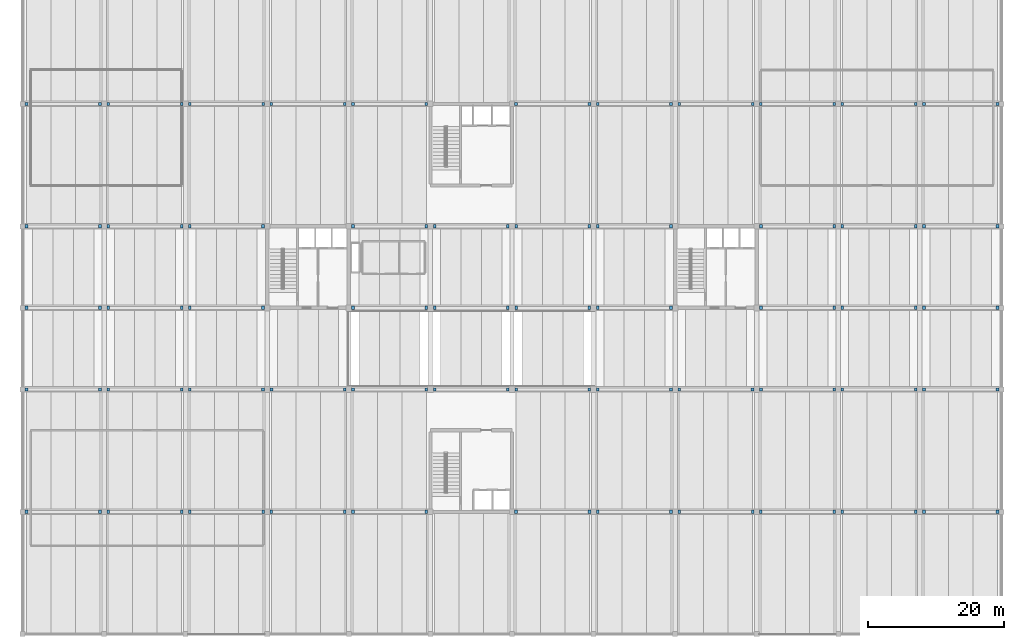
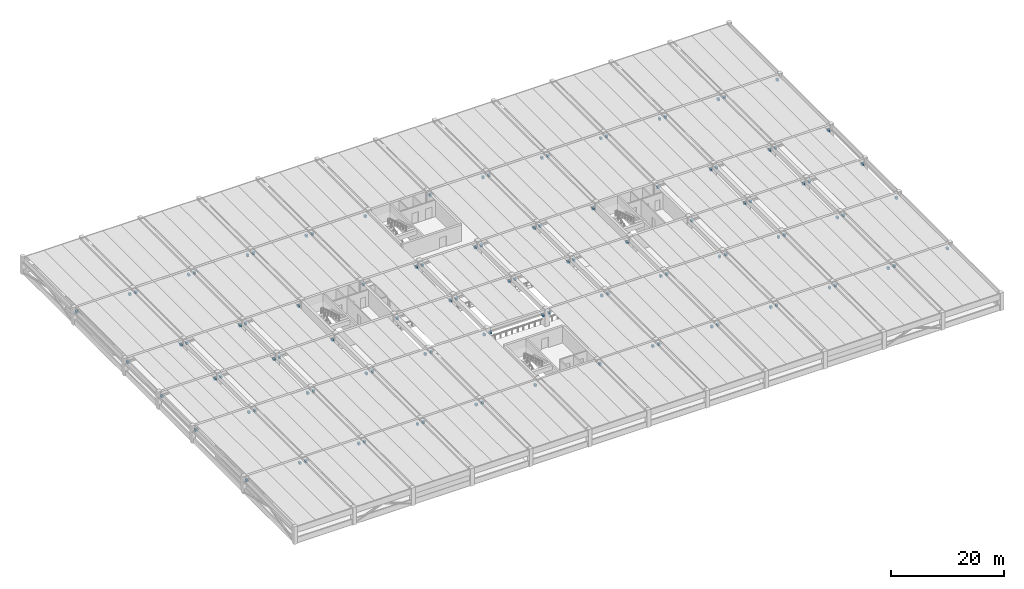
# One storey, part 13 of 16: 108 discrete accessories.
"""IFC4 building model written with IfcOpenShell, lengths in metres."""

from ifc_helpers import new_model, si_unit, direction, frame, origin, origin_2d, place, context, subcontext, project, spatial, rectangle, extrude, material, type_object, element, save


model = new_model("IFC4")

# Units and contexts
model_context = context("Model", 3, precision=1e-05, world=origin(), true_north=direction((0.0, 1.0)))
body_context = subcontext(model_context, "Body", "Model", "MODEL_VIEW")
ifc_project = project(units=[si_unit("LENGTHUNIT", "METRE"), si_unit("AREAUNIT", "SQUARE_METRE"), si_unit("VOLUMEUNIT", "CUBIC_METRE"), si_unit("PLANEANGLEUNIT", "RADIAN"), si_unit("MASSUNIT", "GRAM", prefix="KILO")], contexts=[model_context])

# Site, building, storey
site_placement = place(None, origin())
site = spatial("IfcSite", under=ifc_project, at=site_placement, CompositionType="ELEMENT")
building_placement = place(site_placement, origin())
building = spatial("IfcBuilding", under=site, at=building_placement, Name="Girod Span Mobility Hub", CompositionType="ELEMENT")
storey_placement = place(building_placement, frame((0.0, 0.0, 28.60009765625)))
storey = spatial("IfcBuildingStorey", under=building, at=storey_placement, Name="L07", CompositionType="ELEMENT", Elevation=28.60009765625)

# Discrete accessories
ifc_material = material(Name="Concrete C40/50", Category="concrete")
discrete_accessory_type = type_object("IfcDiscreteAccessoryType", Name="ACC-CORBEL-480", PredefinedType="BRACKET", material=ifc_material)
for number, where, z_axis, x_axis, name in (
    (1, (12.572998046875, 27.0, 2.201904296875), (0.0, 0.0, 1.0), (1.0, 0.0, 0.0), "Precast Corbel 2/C-L L07"),
    (2, (23.402099609375, 27.0, 2.201904296875), (0.0, 0.0, 1.0), (1.0, 0.0, 0.0), "Precast Corbel 2/C-R L07"),
    (3, (24.597900390625, 27.0, 2.171875), (0.0, 0.0, 1.0), (1.0, 0.0, 0.0), "Precast Corbel 3/C-L L07"),
    (4, (35.402099609375, 27.0, 2.171875), (0.0, 0.0, 1.0), (1.0, 0.0, 0.0), "Precast Corbel 3/C-R L07"),
    (5, (36.597900390625, 27.0, 2.171875), (0.0, 0.0, 1.0), (1.0, 0.0, 0.0), "Precast Corbel 4/C-L L07"),
    (6, (47.402099609375, 27.0, 2.171875), (0.0, 0.0, 1.0), (1.0, 0.0, 0.0), "Precast Corbel 4/C-R L07"),
    (7, (48.597900390625, 27.0, 2.171875), (0.0, 0.0, 1.0), (1.0, 0.0, 0.0), "Precast Corbel 5/C-L L07"),
    (8, (59.402099609375, 27.0, 2.171875), (0.0, 0.0, 1.0), (1.0, 0.0, 0.0), "Precast Corbel 5/C-R L07"),
    (9, (60.597900390625, 27.0, 2.171875), (0.0, 0.0, 1.0), (1.0, 0.0, 0.0), "Precast Corbel 6/C-L L07"),
    (10, (71.402099609375, 27.0, 2.171875), (0.0, 0.0, 1.0), (1.0, 0.0, 0.0), "Precast Corbel 6/C-R L07"),
    (11, (84.597900390625, 27.0, 2.171875), (0.0, 0.0, 1.0), (1.0, 0.0, 0.0), "Precast Corbel 8/C-L L07"),
    (12, (95.402099609375, 27.0, 2.171875), (0.0, 0.0, 1.0), (1.0, 0.0, 0.0), "Precast Corbel 8/C-R L07"),
    (13, (96.597900390625, 27.0, 2.171875), (0.0, 0.0, 1.0), (1.0, 0.0, 0.0), "Precast Corbel 9/C-L L07"),
    (14, (107.402099609375, 27.0, 2.171875), (0.0, 0.0, 1.0), (1.0, 0.0, 0.0), "Precast Corbel 9/C-R L07"),
    (15, (108.597900390625, 27.0, 2.171875), (0.0, 0.0, 1.0), (1.0, 0.0, 0.0), "Precast Corbel 10/C-L L07"),
    (16, (119.402099609375, 27.0, 2.171875), (0.0, 0.0, 1.0), (1.0, 0.0, 0.0), "Precast Corbel 10/C-R L07"),
    (17, (120.597900390625, 27.0, 2.171875), (0.0, 0.0, 1.0), (1.0, 0.0, 0.0), "Precast Corbel 11/C-L L07"),
    (18, (131.402099609375, 27.0, 2.171875), (0.0, 0.0, 1.0), (1.0, 0.0, 0.0), "Precast Corbel 11/C-R L07"),
    (19, (132.597900390625, 27.0, 2.171875), (0.0, 0.0, 1.0), (1.0, 0.0, 0.0), "Precast Corbel 12/C-L L07"),
    (20, (143.402099609375, 27.0, 2.171875), (0.0, 0.0, 1.0), (1.0, 0.0, 0.0), "Precast Corbel 12/C-R L07"),
    (21, (144.597900390625, 27.0, 2.201904296875), (0.0, 0.0, 1.0), (1.0, 0.0, 0.0), "Precast Corbel 13/C-L L07"),
    (22, (155.427001953125, 27.0, 2.201904296875), (0.0, 0.0, 1.0), (1.0, 0.0, 0.0), "Precast Corbel 13/C-R L07"),
    (23, (12.572998046875, 45.0, 2.201904296875), (0.0, 0.0, 1.0), (1.0, 0.0, 0.0), "Precast Corbel 2/D-L L07"),
    (24, (23.402099609375, 45.0, 2.201904296875), (0.0, 0.0, 1.0), (1.0, 0.0, 0.0), "Precast Corbel 2/D-R L07"),
    (25, (24.597900390625, 45.0, 2.171875), (0.0, 0.0, 1.0), (1.0, 0.0, 0.0), "Precast Corbel 3/D-L L07"),
    (26, (35.402099609375, 45.0, 2.171875), (0.0, 0.0, 1.0), (1.0, 0.0, 0.0), "Precast Corbel 3/D-R L07"),
    (27, (36.597900390625, 45.0, 2.171875), (0.0, 0.0, 1.0), (1.0, 0.0, 0.0), "Precast Corbel 4/D-L L07"),
    (28, (47.376953125, 45.0, 2.171875), (0.0, 0.0, 1.0), (1.0, 0.0, 0.0), "Precast Corbel 4/D-R L07"),
    (29, (48.623046875, 45.0, 2.171875), (0.0, 0.0, 1.0), (1.0, 0.0, 0.0), "Precast Corbel 5/D-L L07"),
    (30, (59.376953125, 45.0, 2.171875), (0.0, 0.0, 1.0), (1.0, 0.0, 0.0), "Precast Corbel 5/D-R L07"),
    (31, (60.623046875, 45.0, 2.171875), (0.0, 0.0, 1.0), (1.0, 0.0, 0.0), "Precast Corbel 6/D-L L07"),
    (32, (71.376953125, 45.0, 2.171875), (0.0, 0.0, 1.0), (1.0, 0.0, 0.0), "Precast Corbel 6/D-R L07"),
    (33, (72.623046875, 45.0, 2.171875), (0.0, 0.0, 1.0), (1.0, 0.0, 0.0), "Precast Corbel 7/D-L L07"),
    (34, (83.376953125, 45.0, 2.171875), (0.0, 0.0, 1.0), (1.0, 0.0, 0.0), "Precast Corbel 7/D-R L07"),
    (35, (84.623046875, 45.0, 2.171875), (0.0, 0.0, 1.0), (1.0, 0.0, 0.0), "Precast Corbel 8/D-L L07"),
    (36, (95.376953125, 45.0, 2.171875), (0.0, 0.0, 1.0), (1.0, 0.0, 0.0), "Precast Corbel 8/D-R L07"),
    (37, (96.623046875, 45.0, 2.171875), (0.0, 0.0, 1.0), (1.0, 0.0, 0.0), "Precast Corbel 9/D-L L07"),
    (38, (107.376953125, 45.0, 2.171875), (0.0, 0.0, 1.0), (1.0, 0.0, 0.0), "Precast Corbel 9/D-R L07"),
    (39, (108.623046875, 45.0, 2.171875), (0.0, 0.0, 1.0), (1.0, 0.0, 0.0), "Precast Corbel 10/D-L L07"),
    (40, (119.376953125, 45.0, 2.171875), (0.0, 0.0, 1.0), (1.0, 0.0, 0.0), "Precast Corbel 10/D-R L07"),
    (41, (120.623046875, 45.0, 2.171875), (0.0, 0.0, 1.0), (1.0, 0.0, 0.0), "Precast Corbel 11/D-L L07"),
    (42, (131.402099609375, 45.0, 2.171875), (0.0, 0.0, 1.0), (1.0, 0.0, 0.0), "Precast Corbel 11/D-R L07"),
    (43, (132.597900390625, 45.0, 2.171875), (0.0, 0.0, 1.0), (1.0, 0.0, 0.0), "Precast Corbel 12/D-L L07"),
    (44, (143.402099609375, 45.0, 2.171875), (0.0, 0.0, 1.0), (1.0, 0.0, 0.0), "Precast Corbel 12/D-R L07"),
    (45, (144.597900390625, 45.0, 2.201904296875), (0.0, 0.0, 1.0), (1.0, 0.0, 0.0), "Precast Corbel 13/D-L L07"),
    (46, (155.427001953125, 45.0, 2.201904296875), (0.0, 0.0, 1.0), (1.0, 0.0, 0.0), "Precast Corbel 13/D-R L07"),
    (47, (12.572998046875, 57.0, 2.201904296875), (0.0, 0.0, 1.0), (1.0, 0.0, 0.0), "Precast Corbel 2/E-L L07"),
    (48, (23.402099609375, 57.0, 2.201904296875), (0.0, 0.0, 1.0), (1.0, 0.0, 0.0), "Precast Corbel 2/E-R L07"),
    (49, (24.597900390625, 57.0, 2.171875), (0.0, 0.0, 1.0), (1.0, 0.0, 0.0), "Precast Corbel 3/E-L L07"),
    (50, (35.402099609375, 57.0, 2.171875), (0.0, 0.0, 1.0), (1.0, 0.0, 0.0), "Precast Corbel 3/E-R L07"),
    (51, (36.597900390625, 57.0, 2.171875), (0.0, 0.0, 1.0), (1.0, 0.0, 0.0), "Precast Corbel 4/E-L L07"),
    (52, (47.376953125, 57.0, 2.171875), (0.0, 0.0, 1.0), (1.0, 0.0, 0.0), "Precast Corbel 4/E-R L07"),
    (53, (60.623046875, 57.0, 2.171875), (0.0, 0.0, 1.0), (1.0, 0.0, 0.0), "Precast Corbel 6/E-L L07"),
    (54, (71.376953125, 57.0, 2.171875), (0.0, 0.0, 1.0), (1.0, 0.0, 0.0), "Precast Corbel 6/E-R L07"),
    (55, (72.623046875, 57.0, 2.171875), (0.0, 0.0, 1.0), (1.0, 0.0, 0.0), "Precast Corbel 7/E-L L07"),
    (56, (83.376953125, 57.0, 2.171875), (0.0, 0.0, 1.0), (1.0, 0.0, 0.0), "Precast Corbel 7/E-R L07"),
    (57, (84.623046875, 57.0, 2.171875), (0.0, 0.0, 1.0), (1.0, 0.0, 0.0), "Precast Corbel 8/E-L L07"),
    (58, (95.376953125, 57.0, 2.171875), (0.0, 0.0, 1.0), (1.0, 0.0, 0.0), "Precast Corbel 8/E-R L07"),
    (59, (96.623046875, 57.0, 2.171875), (0.0, 0.0, 1.0), (1.0, 0.0, 0.0), "Precast Corbel 9/E-L L07"),
    (60, (107.376953125, 57.0, 2.171875), (0.0, 0.0, 1.0), (1.0, 0.0, 0.0), "Precast Corbel 9/E-R L07"),
    (61, (120.623046875, 57.0, 2.171875), (0.0, 0.0, 1.0), (1.0, 0.0, 0.0), "Precast Corbel 11/E-L L07"),
    (62, (131.402099609375, 57.0, 2.171875), (0.0, 0.0, 1.0), (1.0, 0.0, 0.0), "Precast Corbel 11/E-R L07"),
    (63, (132.597900390625, 57.0, 2.171875), (0.0, 0.0, 1.0), (1.0, 0.0, 0.0), "Precast Corbel 12/E-L L07"),
    (64, (143.402099609375, 57.0, 2.171875), (0.0, 0.0, 1.0), (1.0, 0.0, 0.0), "Precast Corbel 12/E-R L07"),
    (65, (144.597900390625, 57.0, 2.201904296875), (0.0, 0.0, 1.0), (1.0, 0.0, 0.0), "Precast Corbel 13/E-L L07"),
    (66, (155.427001953125, 57.0, 2.201904296875), (0.0, 0.0, 1.0), (1.0, 0.0, 0.0), "Precast Corbel 13/E-R L07"),
    (67, (12.572998046875, 69.0, 2.201904296875), (0.0, 0.0, 1.0), (1.0, 0.0, 0.0), "Precast Corbel 2/F-L L07"),
    (68, (23.402099609375, 69.0, 2.201904296875), (0.0, 0.0, 1.0), (1.0, 0.0, 0.0), "Precast Corbel 2/F-R L07"),
    (69, (24.597900390625, 69.0, 2.171875), (0.0, 0.0, 1.0), (1.0, 0.0, 0.0), "Precast Corbel 3/F-L L07"),
    (70, (35.402099609375, 69.0, 2.171875), (0.0, 0.0, 1.0), (1.0, 0.0, 0.0), "Precast Corbel 3/F-R L07"),
    (71, (36.597900390625, 69.0, 2.171875), (0.0, 0.0, 1.0), (1.0, 0.0, 0.0), "Precast Corbel 4/F-L L07"),
    (72, (47.376953125, 69.0, 2.171875), (0.0, 0.0, 1.0), (1.0, 0.0, 0.0), "Precast Corbel 4/F-R L07"),
    (73, (60.623046875, 69.0, 2.171875), (0.0, 0.0, 1.0), (1.0, 0.0, 0.0), "Precast Corbel 6/F-L L07"),
    (74, (71.376953125, 69.0, 2.171875), (0.0, 0.0, 1.0), (1.0, 0.0, 0.0), "Precast Corbel 6/F-R L07"),
    (75, (72.623046875, 69.0, 2.171875), (0.0, 0.0, 1.0), (1.0, 0.0, 0.0), "Precast Corbel 7/F-L L07"),
    (76, (83.376953125, 69.0, 2.171875), (0.0, 0.0, 1.0), (1.0, 0.0, 0.0), "Precast Corbel 7/F-R L07"),
    (77, (84.623046875, 69.0, 2.171875), (0.0, 0.0, 1.0), (1.0, 0.0, 0.0), "Precast Corbel 8/F-L L07"),
    (78, (95.376953125, 69.0, 2.171875), (0.0, 0.0, 1.0), (1.0, 0.0, 0.0), "Precast Corbel 8/F-R L07"),
    (79, (96.623046875, 69.0, 2.171875), (0.0, 0.0, 1.0), (1.0, 0.0, 0.0), "Precast Corbel 9/F-L L07"),
    (80, (107.376953125, 69.0, 2.171875), (0.0, 0.0, 1.0), (1.0, 0.0, 0.0), "Precast Corbel 9/F-R L07"),
    (81, (120.623046875, 69.0, 2.171875), (0.0, 0.0, 1.0), (1.0, 0.0, 0.0), "Precast Corbel 11/F-L L07"),
    (82, (131.402099609375, 69.0, 2.171875), (0.0, 0.0, 1.0), (1.0, 0.0, 0.0), "Precast Corbel 11/F-R L07"),
    (83, (132.597900390625, 69.0, 2.171875), (0.0, 0.0, 1.0), (1.0, 0.0, 0.0), "Precast Corbel 12/F-L L07"),
    (84, (143.402099609375, 69.0, 2.171875), (0.0, 0.0, 1.0), (1.0, 0.0, 0.0), "Precast Corbel 12/F-R L07"),
    (85, (144.597900390625, 69.0, 2.201904296875), (0.0, 0.0, 1.0), (1.0, 0.0, 0.0), "Precast Corbel 13/F-L L07"),
    (86, (155.427001953125, 69.0, 2.201904296875), (0.0, 0.0, 1.0), (1.0, 0.0, 0.0), "Precast Corbel 13/F-R L07"),
    (87, (12.572998046875, 87.0, 2.201904296875), (0.0, 0.0, 1.0), (1.0, 0.0, 0.0), "Precast Corbel 2/G-L L07"),
    (88, (23.402099609375, 87.0, 2.201904296875), (0.0, 0.0, 1.0), (1.0, 0.0, 0.0), "Precast Corbel 2/G-R L07"),
    (89, (24.597900390625, 87.0, 2.171875), (0.0, 0.0, 1.0), (1.0, 0.0, 0.0), "Precast Corbel 3/G-L L07"),
    (90, (35.402099609375, 87.0, 2.171875), (0.0, 0.0, 1.0), (1.0, 0.0, 0.0), "Precast Corbel 3/G-R L07"),
    (91, (36.597900390625, 87.0, 2.171875), (0.0, 0.0, 1.0), (1.0, 0.0, 0.0), "Precast Corbel 4/G-L L07"),
    (92, (47.402099609375, 87.0, 2.171875), (0.0, 0.0, 1.0), (1.0, 0.0, 0.0), "Precast Corbel 4/G-R L07"),
    (93, (48.597900390625, 87.0, 2.171875), (0.0, 0.0, 1.0), (1.0, 0.0, 0.0), "Precast Corbel 5/G-L L07"),
    (94, (59.402099609375, 87.0, 2.171875), (0.0, 0.0, 1.0), (1.0, 0.0, 0.0), "Precast Corbel 5/G-R L07"),
    (95, (60.597900390625, 87.0, 2.171875), (0.0, 0.0, 1.0), (1.0, 0.0, 0.0), "Precast Corbel 6/G-L L07"),
    (96, (71.402099609375, 87.0, 2.171875), (0.0, 0.0, 1.0), (1.0, 0.0, 0.0), "Precast Corbel 6/G-R L07"),
    (97, (84.597900390625, 87.0, 2.171875), (0.0, 0.0, 1.0), (1.0, 0.0, 0.0), "Precast Corbel 8/G-L L07"),
    (98, (95.402099609375, 87.0, 2.171875), (0.0, 0.0, 1.0), (1.0, 0.0, 0.0), "Precast Corbel 8/G-R L07"),
    (99, (96.597900390625, 87.0, 2.171875), (0.0, 0.0, 1.0), (1.0, 0.0, 0.0), "Precast Corbel 9/G-L L07"),
    (100, (107.402099609375, 87.0, 2.171875), (0.0, 0.0, 1.0), (1.0, 0.0, 0.0), "Precast Corbel 9/G-R L07"),
    (101, (108.597900390625, 87.0, 2.171875), (0.0, 0.0, 1.0), (1.0, 0.0, 0.0), "Precast Corbel 10/G-L L07"),
    (102, (119.402099609375, 87.0, 2.171875), (0.0, 0.0, 1.0), (1.0, 0.0, 0.0), "Precast Corbel 10/G-R L07"),
    (103, (120.597900390625, 87.0, 2.171875), (0.0, 0.0, 1.0), (1.0, 0.0, 0.0), "Precast Corbel 11/G-L L07"),
    (104, (131.402099609375, 87.0, 2.171875), (0.0, 0.0, 1.0), (1.0, 0.0, 0.0), "Precast Corbel 11/G-R L07"),
    (105, (132.597900390625, 87.0, 2.171875), (0.0, 0.0, 1.0), (1.0, 0.0, 0.0), "Precast Corbel 12/G-L L07"),
    (106, (143.402099609375, 87.0, 2.171875), (0.0, 0.0, 1.0), (1.0, 0.0, 0.0), "Precast Corbel 12/G-R L07"),
    (107, (144.597900390625, 87.0, 2.201904296875), (0.0, 0.0, 1.0), (1.0, 0.0, 0.0), "Precast Corbel 13/G-L L07"),
    (108, (155.427001953125, 87.0, 2.201904296875), (0.0, 0.0, 1.0), (1.0, 0.0, 0.0), "Precast Corbel 13/G-R L07"),
):
    element("IfcDiscreteAccessory", number, at=place(storey_placement, frame(where, z_axis=z_axis, x_axis=x_axis)), inside=storey, type_object=discrete_accessory_type, Name=name, PredefinedType="BRACKET", context=body_context, shape_type="SweptSolid", body=[
        extrude(rectangle(XDim=0.39990234375, YDim=0.5, at=origin_2d()), origin(), (0.0, 0.0, 1.0), 0.47998046875),
    ])

save(model, "model.ifc")
